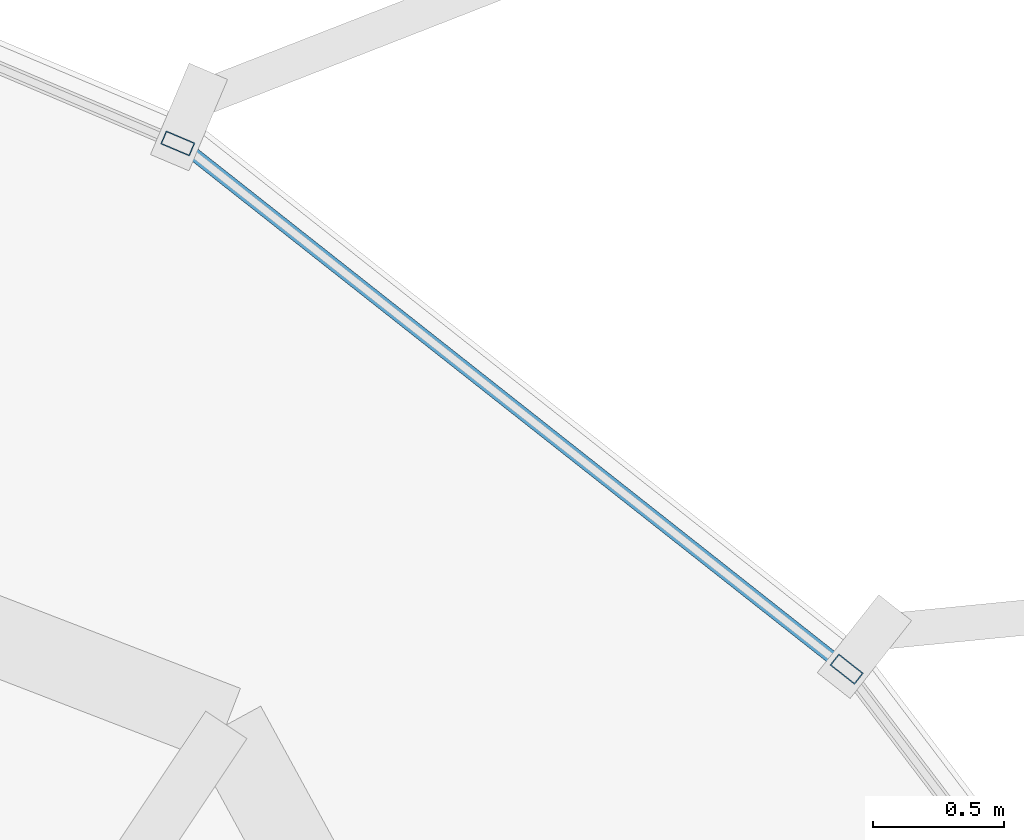
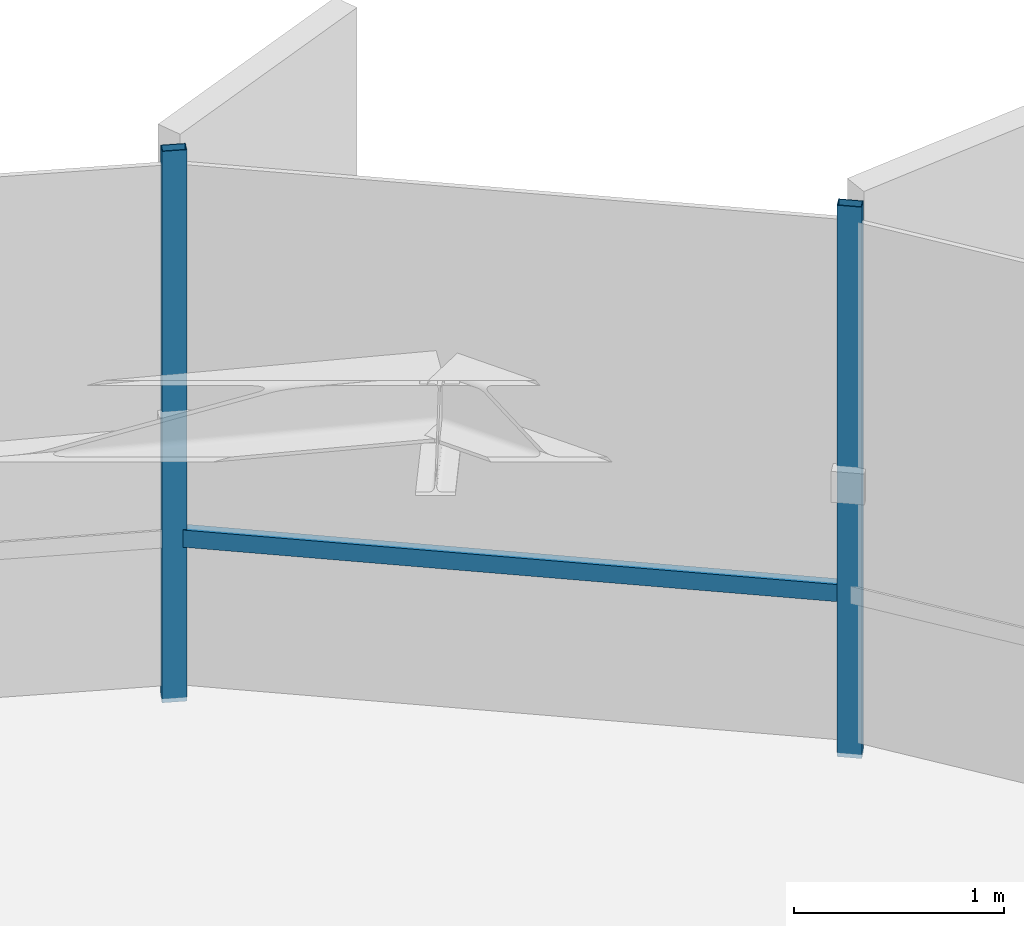
# One storey, part 24 of 32: 3 members, 2 elements without a shape of their own.
"""IFC4 building model written with IfcOpenShell, lengths in metres."""

from ifc_helpers import new_model, si_unit, direction, frame, origin, origin_2d, place, context, subcontext, project, spatial, hollow_rectangle, extrude, source, transform, mapped, material, layer, layer_set, material_profile, profile_set, type_object, element, aggregate, save


model = new_model("IFC4")

# Units and contexts
model_context = context("Model", 3, precision=1e-05, world=origin(), true_north=direction((0.0, 1.0)))
body_context = subcontext(model_context, "Body", "Model", "MODEL_VIEW")
ifc_project = project(units=[si_unit("LENGTHUNIT", "METRE"), si_unit("AREAUNIT", "SQUARE_METRE"), si_unit("VOLUMEUNIT", "CUBIC_METRE"), si_unit("PLANEANGLEUNIT", "RADIAN"), si_unit("MASSUNIT", "GRAM", prefix="KILO"), si_unit("THERMODYNAMICTEMPERATUREUNIT", "KELVIN")], contexts=[model_context])

# Site, building, storey
site_placement = place(None, origin())
site = spatial("IfcSite", under=ifc_project, at=site_placement, CompositionType="ELEMENT")
building_placement = place(site_placement, origin())
building = spatial("IfcBuilding", under=site, at=building_placement, Name="Kethvar Cultural Tower", CompositionType="ELEMENT")
storey_placement = place(building_placement, frame((0.0, 0.0, 273.25)))
storey = spatial("IfcBuildingStorey", under=building, at=storey_placement, Name="L72", CompositionType="ELEMENT", Elevation=273.25)

# Curtain wall, member
ifc_material = material(Name="Aluminium 6063-T6", Category="aluminium")
ifc_layer = layer(ifc_material, 0.179931640625, Name="Aluminium 6063-T6", Category="aluminium")
ifc_layer_set = layer_set([ifc_layer], Name="Aluminium 6063-T6 (180 mm)")
curtain_wall_type = type_object("IfcCurtainWallType", Name="CW-SYS-05-Z56", PredefinedType="NOTDEFINED", material=ifc_layer_set)
curtain_wall_1_placement = place(storey_placement, origin())
curtain_wall_1 = element("IfcCurtainWall", 1, at=curtain_wall_1_placement, inside=storey, type_object=curtain_wall_type, Name="L72 Curtain Wall Run 01", PredefinedType="NOTDEFINED")
ifc_material_profile_1 = material_profile(ifc_material, hollow_rectangle(XDim=0.054931640625, YDim=0.1201171875, WallThickness=0.00390625, at=origin_2d()), Name="Aluminium 6063-T6 — RHS120x55x4")
ifc_profile_set_1 = profile_set([ifc_material_profile_1], Name="Aluminium 6063-T6 — RHS120x55x4")
member_type_1 = type_object("IfcMemberType", Name="CW-SYS-05-Z56-MUL", PredefinedType="MULLION", material=ifc_profile_set_1)
shared_shape_1 = source(origin(), body_context, "Body", "SweptSolid", [
    extrude(hollow_rectangle(XDim=0.054931640625, YDim=0.1201171875, WallThickness=0.00390625, at=origin_2d()), origin(), (0.0, 0.0, 1.0), 3.2099609375),
])
member_1_placement = place(storey_placement, frame((59.46728515625, 49.2626953125, 0.0), z_axis=(0.0, 0.0, 1.0), x_axis=(-0.389590154109, -0.920988334248, 0.0)))
member_1 = element("IfcMember", 2, at=member_1_placement, type_object=member_type_1, Name="CW-L72-R01 Mullion 1", PredefinedType="MULLION", context=body_context, shape_type="MappedRepresentation", body=[
    mapped(shared_shape_1, transform((0.0, 0.0, 0.0), scale=1.0)),
])
aggregate(curtain_wall_1, [member_1])

# Curtain wall, members
curtain_wall_2_placement = place(storey_placement, origin())
curtain_wall_2 = element("IfcCurtainWall", 3, at=curtain_wall_2_placement, inside=storey, type_object=curtain_wall_type, Name="L72 Curtain Wall Run 07", PredefinedType="NOTDEFINED")
member_2_placement = place(storey_placement, frame((62.02880859375, 47.24951171875, 0.0), z_axis=(0.0, 0.0, 1.0), x_axis=(-0.619395443719, -0.785079157984, 0.0)))
member_2 = element("IfcMember", 4, at=member_2_placement, type_object=member_type_1, Name="CW-L72-R07 Mullion 3", PredefinedType="MULLION", context=body_context, shape_type="MappedRepresentation", body=[
    mapped(shared_shape_1, transform((0.0, 0.0, 0.0), scale=1.0)),
])
ifc_material_profile_2 = material_profile(ifc_material, hollow_rectangle(XDim=0.050048828125, YDim=0.10009765625, WallThickness=0.00390625, at=origin_2d()), Name="Aluminium 6063-T6 — RHS100x50x4")
ifc_profile_set_2 = profile_set([ifc_material_profile_2], Name="Aluminium 6063-T6 — RHS100x50x4")
member_type_2 = type_object("IfcMemberType", Name="CW-SYS-05-Z56-TRN", PredefinedType="USERDEFINED", material=ifc_profile_set_2)
shared_shape_2 = source(origin(), body_context, "Body", "SweptSolid", [
    extrude(hollow_rectangle(XDim=0.050048828125, YDim=0.10009765625, WallThickness=0.00390625, at=origin_2d()), origin(), (0.0, 0.0, 1.0), 3.1708984375),
])
member_3_placement = place(storey_placement, frame((61.997802734375, 47.27392578125, 0.949951171875), z_axis=(-0.785117241633, 0.619347169922, 0.0), x_axis=(-0.619347169922, -0.785117241633, 0.0)))
member_3 = element("IfcMember", 5, at=member_3_placement, type_object=member_type_2, Name="CW-L72-R07 Transom 3", ObjectType="TRANSOM", PredefinedType="USERDEFINED", context=body_context, shape_type="MappedRepresentation", body=[
    mapped(shared_shape_2, transform((0.0, 0.0, 0.0), scale=1.0)),
])
aggregate(curtain_wall_2, [member_2, member_3])

save(model, "model.ifc")
